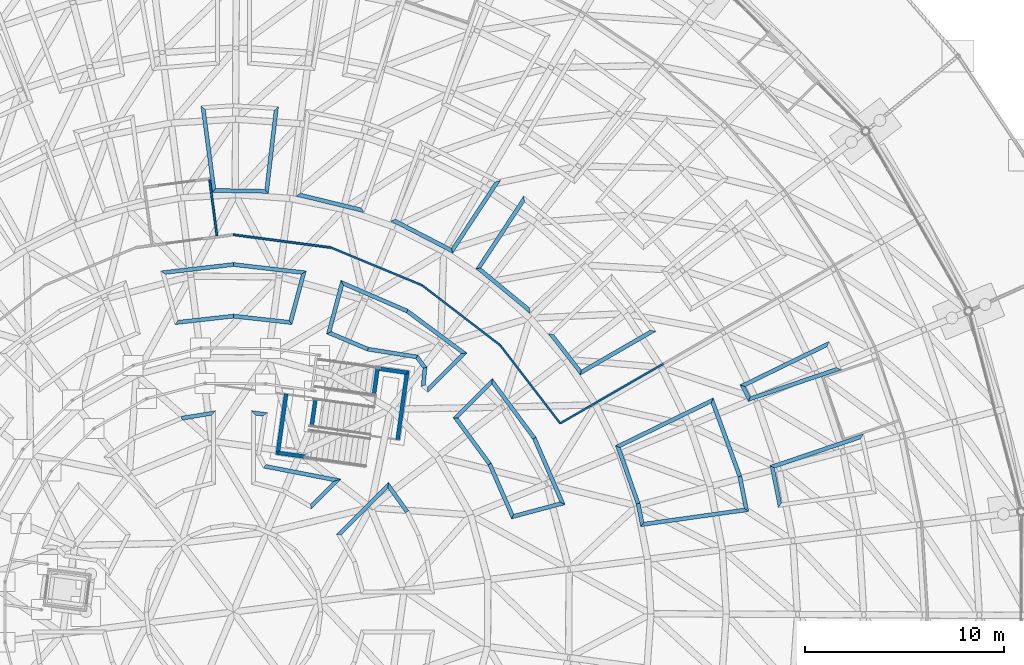
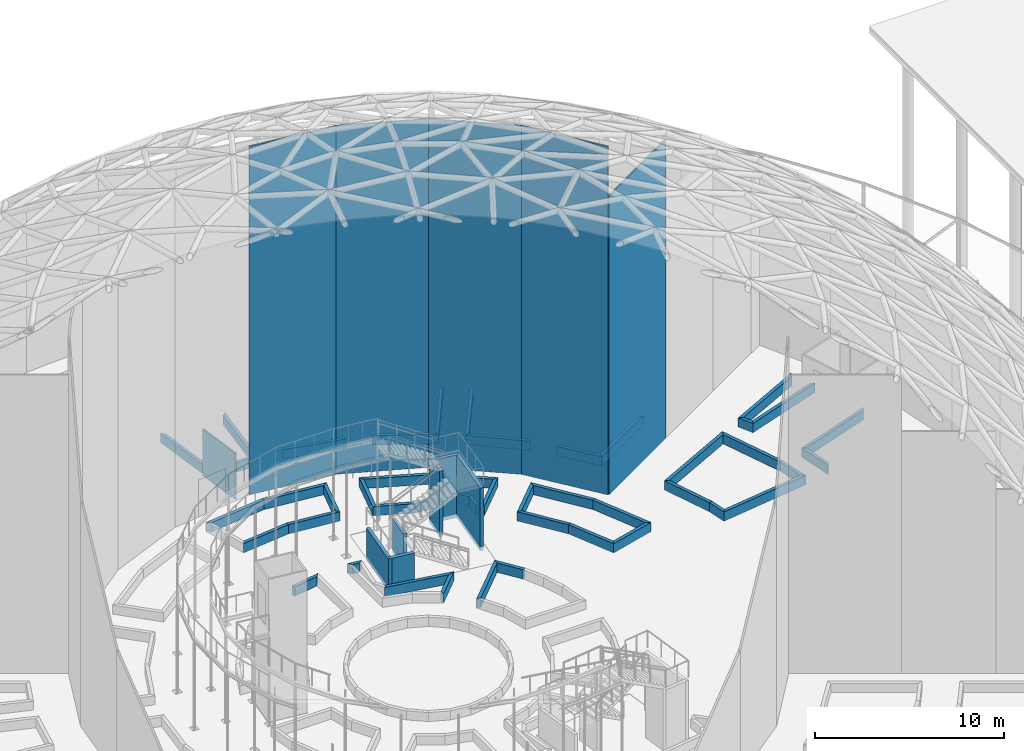
# One storey, part 178 of 226: 58 walls.
"""IFC4 building model written with IfcOpenShell, lengths in metres."""

import ifcopenshell
import ifcopenshell.guid

model = None  # the IFC model being written
_history = None  # IfcOwnerHistory: only IFC2X3 demands one
_inside = {}  # id of a spatial element -> (the spatial element, [elements in it])
_under = {}  # id of a project, library or spatial element -> (it, [spatial elements below it])
_declared = {}  # id of a project -> (the project, [libraries it declares])
_typed = {}  # id of a type object -> (the type object, [elements of that type])
_made_of = {}  # id of a material, layer set ... -> (it, [elements and type objects made of it])


def new_model(schema):
    """Start an empty IFC model of exactly this schema.

    Asked for "IFC4X3", IfcOpenShell would pick the latest addendum, in which some entities
    have other attributes; the version numbers below select the first issue.
    IFC2X3 requires an IfcOwnerHistory on every rooted entity: one is made here for all.
    """
    global model, _history
    if schema == "IFC4X3":
        model = ifcopenshell.file(schema_version=(4, 3, 0, 0))
    else:
        model = ifcopenshell.file(schema=schema)
    _inside.clear()
    _under.clear()
    _declared.clear()
    _typed.clear()
    _made_of.clear()
    _history = None
    if model.schema == "IFC2X3":
        org = make("IfcOrganization", Name="unknown")
        user = make(
            "IfcPersonAndOrganization",
            ThePerson=make("IfcPerson", FamilyName="unknown"),
            TheOrganization=org,
        )
        app = make(
            "IfcApplication",
            ApplicationDeveloper=org,
            Version="unknown",
            ApplicationFullName="unknown",
            ApplicationIdentifier="unknown",
        )
        _history = make(
            "IfcOwnerHistory",
            OwningUser=user,
            OwningApplication=app,
            ChangeAction="ADDED",
            CreationDate=0,
        )
    return model


def make(cls, **values):
    """One entity of the class cls with the attributes given. An attribute that is None is left unset."""
    return model.create_entity(
        cls, **{name: value for name, value in values.items() if value is not None}
    )


def rooted(cls, **values):
    """An entity with a GlobalId (a new one), such as an element, a storey or a relation."""
    return make(cls, GlobalId=ifcopenshell.guid.new(), OwnerHistory=_history, **values)


def si_unit(unit_type, name, prefix=None):
    """IfcSIUnit, for example si_unit("LENGTHUNIT", "METRE", prefix="MILLI")."""
    return make("IfcSIUnit", UnitType=unit_type, Prefix=prefix, Name=name)


def assignment(units):
    """IfcUnitAssignment: the units of a project."""
    return None if units is None else make("IfcUnitAssignment", Units=units)


def point(xyz):
    """IfcCartesianPoint."""
    return None if xyz is None else make("IfcCartesianPoint", Coordinates=xyz)


def direction(xyz):
    """IfcDirection."""
    return None if xyz is None else make("IfcDirection", DirectionRatios=xyz)


def frame(location, z_axis=None, x_axis=None):
    """IfcAxis2Placement3D, a coordinate frame: its origin and axes. An axis left out is left unset."""
    return make(
        "IfcAxis2Placement3D",
        Location=point(location),
        Axis=direction(z_axis),
        RefDirection=direction(x_axis),
    )


def frame_2d(location, x_axis=None):
    """IfcAxis2Placement2D, a coordinate frame in the plane: its origin and x axis."""
    return make(
        "IfcAxis2Placement2D", Location=point(location), RefDirection=direction(x_axis)
    )


def origin():
    """The frame at (0, 0, 0) with its axes left unset."""
    return frame((0.0, 0.0, 0.0))


def place(relative_to, where):
    """IfcLocalPlacement: puts the frame where relative to a parent placement (None: the world)."""
    return make(
        "IfcLocalPlacement", PlacementRelTo=relative_to, RelativePlacement=where
    )


def context(
    kind, dimensions, precision=None, world=None, true_north=None, identifier=None
):
    """IfcGeometricRepresentationContext, for example the 3D "Model" context."""
    return make(
        "IfcGeometricRepresentationContext",
        ContextIdentifier=identifier,
        ContextType=kind,
        CoordinateSpaceDimension=dimensions,
        Precision=precision,
        WorldCoordinateSystem=world,
        TrueNorth=true_north,
    )


def subcontext(parent, identifier, kind, view, scale=None):
    """IfcGeometricRepresentationSubContext, for example "Body" below "Model"."""
    return make(
        "IfcGeometricRepresentationSubContext",
        ContextIdentifier=identifier,
        ContextType=kind,
        ParentContext=parent,
        TargetScale=scale,
        TargetView=view,
    )


def project(units=None, contexts=None):
    """IfcProject with its units and contexts."""
    return rooted(
        "IfcProject",
        Name="project",
        RepresentationContexts=contexts,
        UnitsInContext=assignment(units),
    )


def spatial(cls, under=None, at=None, **own):
    """A site, building, storey or space (cls), placed at a placement, below another one or the project."""
    s = rooted(cls, ObjectPlacement=at, **own)
    if under is not None:
        _under.setdefault(under.id(), (under, []))[1].append(s)
    return s


def polyline(points):
    """IfcPolyline through the points."""
    return make("IfcPolyline", Points=[point(p) for p in points])


def profile(cls, at=None, kind="AREA", **sizes):
    """A parametric profile (cls). Its sizes go by their IFC names, for example OverallWidth=200.0."""
    return make(cls, ProfileType=kind, Position=at, **sizes)


def rectangle(**sizes):
    """IfcRectangleProfileDef."""
    return profile("IfcRectangleProfileDef", **sizes)


def outline(outer, holes=None, kind="AREA"):
    """IfcArbitraryClosedProfileDef: a profile drawn as a closed curve; with holes, ...WithVoids."""
    if holes is None:
        return make("IfcArbitraryClosedProfileDef", ProfileType=kind, OuterCurve=outer)
    return make(
        "IfcArbitraryProfileDefWithVoids",
        ProfileType=kind,
        OuterCurve=outer,
        InnerCurves=holes,
    )


def extrude(swept, where, along, depth):
    """IfcExtrudedAreaSolid: the profile swept, set in the frame where, extruded along a direction by depth."""
    return make(
        "IfcExtrudedAreaSolid",
        SweptArea=swept,
        Position=where,
        ExtrudedDirection=direction(along),
        Depth=depth,
    )


def shape(context_of_items, identifier, shape_type, items):
    """IfcShapeRepresentation: the items that make up one representation, for example the "Body"."""
    return make(
        "IfcShapeRepresentation",
        ContextOfItems=context_of_items,
        RepresentationIdentifier=identifier,
        RepresentationType=shape_type,
        Items=items,
    )


def material(Name=None, Category=None):
    """IfcMaterial."""
    return make("IfcMaterial", Name=Name, Category=Category)


def layer(
    of_material, thickness, ventilated=None, Name=None, Category=None, Priority=None
):
    """IfcMaterialLayer: one layer of a wall or slab, of a material (None: an air gap)."""
    return make(
        "IfcMaterialLayer",
        Material=of_material,
        LayerThickness=thickness,
        IsVentilated=ventilated,
        Name=Name,
        Category=Category,
        Priority=Priority,
    )


def layer_set(layers, Name=None):
    """IfcMaterialLayerSet."""
    return make("IfcMaterialLayerSet", MaterialLayers=layers, LayerSetName=Name)


def made_of(thing, what):
    """Note that an element or type object is made of a material, layer set ...; save() writes the relation."""
    if what is not None:
        _made_of.setdefault(what.id(), (what, []))[1].append(thing)
    return thing


def type_object(cls, material=None, **own):
    """A type object (cls), such as IfcWallType, which elements share."""
    return made_of(rooted(cls, **own), material)


def element(
    cls,
    number,
    at=None,
    inside=None,
    cuts=None,
    type_object=None,
    material=None,
    context=None,
    identifier="Body",
    shape_type=None,
    held_by="IfcProductDefinitionShape",
    body=None,
    shapes=None,
    **own,
):
    """One element of the class cls, such as IfcWall. Its Tag is "e" and its number.

    at: its placement. inside: the storey or other place that contains it. cuts: it is an
    opening in that element (IfcRelVoidsElement). A single representation is given by context,
    identifier, shape_type and body (its items); several are given by shapes. held_by: the class
    of the entity that holds the representations. save() writes the other relations.
    """
    e = rooted(cls, Tag="e%d" % number, ObjectPlacement=at, **own)
    if body is not None:
        shapes = [shape(context, identifier, shape_type, body)]
    if shapes is not None:
        e.Representation = make(held_by, Representations=shapes)
    if inside is not None:
        _inside.setdefault(inside.id(), (inside, []))[1].append(e)
    if cuts is not None:
        rooted(
            "IfcRelVoidsElement", RelatingBuildingElement=cuts, RelatedOpeningElement=e
        )
    if type_object is not None:
        _typed.setdefault(type_object.id(), (type_object, []))[1].append(e)
    return made_of(e, material)


def aggregate(whole, parts):
    """IfcRelAggregates: a whole, such as a stair, and the parts it consists of."""
    return rooted("IfcRelAggregates", RelatingObject=whole, RelatedObjects=parts)


def save(model, path):
    """Write the relations noted so far, then the file.

    IfcRelAggregates (storeys below a building ...), IfcRelContainedInSpatialStructure (elements
    in a storey), IfcRelDefinesByType, IfcRelAssociatesMaterial and IfcRelDeclares: one each for
    every whole, place, type object, material and project.
    """
    for whole, parts in _under.values():
        aggregate(whole, parts)
    for where, things in _inside.values():
        rooted(
            "IfcRelContainedInSpatialStructure",
            RelatedElements=things,
            RelatingStructure=where,
        )
    for kind, things in _typed.values():
        rooted("IfcRelDefinesByType", RelatedObjects=things, RelatingType=kind)
    for what, things in _made_of.values():
        rooted("IfcRelAssociatesMaterial", RelatedObjects=things, RelatingMaterial=what)
    for by, libraries in _declared.values():
        rooted("IfcRelDeclares", RelatingContext=by, RelatedDefinitions=libraries)
    model.write(path)


model = new_model("IFC4")

# Units and contexts
model_context = context("Model", 3, precision=1e-05, world=origin(), true_north=direction((0.0, 1.0)))
body_context = subcontext(model_context, "Body", "Model", "MODEL_VIEW")
ifc_project = project(units=[si_unit("LENGTHUNIT", "METRE"), si_unit("AREAUNIT", "SQUARE_METRE"), si_unit("VOLUMEUNIT", "CUBIC_METRE"), si_unit("PLANEANGLEUNIT", "RADIAN"), si_unit("MASSUNIT", "GRAM", prefix="KILO")], contexts=[model_context])

# Site, building, storey
site_placement = place(None, origin())
site = spatial("IfcSite", under=ifc_project, at=site_placement, CompositionType="ELEMENT")
building_placement = place(site_placement, origin())
building = spatial("IfcBuilding", under=site, at=building_placement, Name="Ceibo Conservatory and Research Tower", CompositionType="ELEMENT")
storey_placement = place(building_placement, origin())
storey = spatial("IfcBuildingStorey", under=building, at=storey_placement, Name="L00", CompositionType="ELEMENT", Elevation=0.0)

# Walls
ifc_material_1 = material(Name="Aluminium and glass", Category="aluminium")
ifc_layer_1 = layer(ifc_material_1, 0.10009765625)
ifc_layer_set_1 = layer_set([ifc_layer_1], Name="Aluminium and glass")
wall_type_1 = type_object("IfcWallType", Name="Airlock screen wall 100", PredefinedType="PARTITIONING", material=ifc_layer_set_1)
wall_1_placement = place(storey_placement, frame((172.45458984375, 117.5, 0.0), z_axis=(0.0, 0.0, 1.0), x_axis=(-0.608768356425, 0.793348024649, 0.0)))
element("IfcWall", 1, at=wall_1_placement, inside=storey, type_object=wall_type_1, Name="Glazed partition I", PredefinedType="PARTITIONING", context=body_context, shape_type="SweptSolid", body=[
    extrude(outline(polyline([(0.0, -0.050048828125), (4.966552734375, -0.050048828125), (4.953369140625, 0.050048828125), (0.0, 0.050048828125), (0.0, -0.050048828125)])), origin(), (0.0, 0.0, 1.0), 22.484130859375),
])
for number, where, z_axis, x_axis, name in (
    (2, (169.43505859375, 121.43505859375, 0.0), (0.0, 0.0, 1.0), (-0.793348024649, 0.608768356425, 0.0), "Glazed partition I"),
    (3, (165.5, 124.45458984375, 0.0), (0.0, 0.0, 1.0), (-0.923893254961, 0.382650301762, 0.0), "Glazed partition I"),
    (4, (160.91748046875, 126.3525390625, 0.0), (0.0, 0.0, 1.0), (-0.991443234469, 0.130538549191, 0.0), "Glazed partition I"),
):
    element("IfcWall", number, at=place(storey_placement, frame(where, z_axis=z_axis, x_axis=x_axis)), inside=storey, type_object=wall_type_1, Name=name, PredefinedType="PARTITIONING", context=body_context, shape_type="SweptSolid", body=[
        extrude(outline(polyline([(-0.006591796875, -0.050048828125), (4.966552734375, -0.050048828125), (4.953369140625, 0.050048828125), (0.006591796875, 0.050048828125), (-0.006591796875, -0.050048828125)])), origin(), (0.0, 0.0, 1.0), 22.484130859375),
    ])
wall_2_placement = place(storey_placement, frame((172.454833984375, 117.500244140625, 0.0), z_axis=(0.0, 0.0, 1.0), x_axis=(0.866028371585, 0.499994859584, 0.0)))
element("IfcWall", 5, at=wall_2_placement, inside=storey, type_object=wall_type_1, Name="Glazed partition R", PredefinedType="PARTITIONING", context=body_context, shape_type="SweptSolid", body=[
    extrude(rectangle(XDim=5.99951171875, YDim=0.10009765625, at=frame_2d((2.999755859375, 0.0))), origin(), (0.0, 0.0, 1.0), 19.278076171875),
])
wall_3_placement = place(storey_placement, frame((155.170654296875, 126.941162109375, 0.0), z_axis=(0.0, 0.0, 1.0), x_axis=(-0.130547578832, 0.991442045538, 0.0)))
element("IfcWall", 6, at=wall_3_placement, inside=storey, type_object=wall_type_1, Name="Glazed partition A", PredefinedType="PARTITIONING", context=body_context, shape_type="SweptSolid", body=[
    extrude(rectangle(XDim=2.85009765625, YDim=0.10009765625, at=frame_2d((1.425048828125, 0.0))), origin(), (0.0, 0.0, 1.0), 3.0),
])
ifc_material_2 = material(Name="Masonry blockwork", Category="masonry")
ifc_layer_2 = layer(ifc_material_2, 0.199951171875)
ifc_layer_set_2 = layer_set([ifc_layer_2], Name="Masonry blockwork")
wall_type_2 = type_object("IfcWallType", Name="Dome planter wall 200", PredefinedType="SOLIDWALL", material=ifc_layer_set_2)
wall_4_placement = place(storey_placement, frame((163.79443359375, 114.38037109375, 0.0), z_axis=(0.0, 0.0, 1.0), x_axis=(-0.707106781187, -0.707106781187, 0.0)))
element("IfcWall", 7, at=wall_4_placement, inside=storey, type_object=wall_type_2, Name="Planter wall A-PB002", PredefinedType="SOLIDWALL", context=body_context, shape_type="SweptSolid", body=[
    extrude(outline(polyline([(-0.117919921875, -0.10009765625), (3.589111328125, -0.10009765625), (3.435791015625, 0.10009765625), (0.117919921875, 0.10009765625), (-0.117919921875, -0.10009765625)])), origin(), (0.0, 0.0, 1.0), 0.60009765625),
])
wall_5_placement = place(storey_placement, frame((164.747314453125, 113.04833984375, 0.0), z_axis=(0.0, 0.0, 1.0), x_axis=(-0.581816192891, 0.813320304487, 0.0)))
element("IfcWall", 8, at=wall_5_placement, inside=storey, type_object=wall_type_2, Name="Planter wall A-PB002", PredefinedType="SOLIDWALL", context=body_context, shape_type="SweptSolid", body=[
    extrude(outline(polyline([(-0.008056640625, -0.10009765625), (1.755615234375, -0.10009765625), (1.519775390625, 0.10009765625), (0.008056640625, 0.10009765625), (-0.008056640625, -0.10009765625)])), origin(), (0.0, 0.0, 1.0), 0.60009765625),
])
wall_6_placement = place(storey_placement, frame((159.896728515625, 113.310791015625, 0.0), z_axis=(0.0, 0.0, 1.0), x_axis=(0.70704151682, 0.70717203953, 0.0)))
element("IfcWall", 9, at=wall_6_placement, inside=storey, type_object=wall_type_2, Name="Planter wall A-PB003", PredefinedType="SOLIDWALL", context=body_context, shape_type="SweptSolid", body=[
    extrude(outline(polyline([(-0.07666015625, -0.10009765625), (2.058837890625, -0.10009765625), (1.682373046875, 0.10009765625), (0.07666015625, 0.10009765625), (-0.07666015625, -0.10009765625)])), origin(), (0.0, 0.0, 1.0), 0.60009765625),
])
wall_7_placement = place(storey_placement, frame((161.21923828125, 114.633544921875, 0.0), z_axis=(0.0, 0.0, 1.0), x_axis=(-0.981752950961, 0.190160835291, 0.0)))
element("IfcWall", 10, at=wall_7_placement, inside=storey, type_object=wall_type_2, Name="Planter wall A-PB003", PredefinedType="SOLIDWALL", context=body_context, shape_type="SweptSolid", body=[
    extrude(outline(polyline([(-0.188232421875, -0.10009765625), (3.66845703125, -0.10009765625), (3.7626953125, 0.10009765625), (0.188232421875, 0.10009765625), (-0.188232421875, -0.10009765625)])), origin(), (0.0, 0.0, 1.0), 0.60009765625),
])
wall_8_placement = place(storey_placement, frame((157.59814453125, 117.95068359375, 0.0), z_axis=(0.0, 0.0, 1.0), x_axis=(-0.991886901255, 0.127123464079, 0.0)))
element("IfcWall", 11, at=wall_8_placement, inside=storey, type_object=wall_type_2, Name="Planter wall A-PB003", PredefinedType="SOLIDWALL", context=body_context, shape_type="SweptSolid", body=[
    extrude(outline(polyline([(-0.103515625, -0.10009765625), (0.716552734375, -0.10009765625), (0.489501953125, 0.10009765625), (0.103515625, 0.10009765625), (-0.103515625, -0.10009765625)])), origin(), (0.0, 0.0, 1.0), 0.60009765625),
])
wall_9_placement = place(storey_placement, frame((155.0, 118.02294921875, 0.0), z_axis=(0.0, 0.0, 1.0), x_axis=(-0.986530851603, -0.163575300198, 0.0)))
element("IfcWall", 12, at=wall_9_placement, inside=storey, type_object=wall_type_2, Name="Planter wall A-PB004", PredefinedType="SOLIDWALL", context=body_context, shape_type="SweptSolid", body=[
    extrude(outline(polyline([(-0.117919921875, -0.10009765625), (1.645751953125, -0.10009765625), (1.622802734375, 0.10009765625), (0.117919921875, 0.10009765625), (-0.117919921875, -0.10009765625)])), origin(), (0.0, 0.0, 1.0), 0.60009765625),
])
wall_10_placement = place(storey_placement, frame((172.572509765625, 113.475830078125, 0.0), z_axis=(0.0, 0.0, 1.0), x_axis=(-0.397376975647, 0.917655457797, 0.0)))
element("IfcWall", 13, at=wall_10_placement, inside=storey, type_object=wall_type_2, Name="Planter wall A-PB010", PredefinedType="SOLIDWALL", context=body_context, shape_type="SweptSolid", body=[
    extrude(outline(polyline([(-0.115966796875, -0.10009765625), (3.5791015625, -0.10009765625), (3.55615234375, 0.10009765625), (0.115966796875, 0.10009765625), (-0.115966796875, -0.10009765625)])), origin(), (0.0, 0.0, 1.0), 0.60009765625),
])
wall_11_placement = place(storey_placement, frame((171.15478515625, 116.749755859375, 0.0), z_axis=(0.0, 0.0, 1.0), x_axis=(-0.596017773517, 0.802971240862, 0.0)))
element("IfcWall", 14, at=wall_11_placement, inside=storey, type_object=wall_type_2, Name="Planter wall A-PB010", PredefinedType="SOLIDWALL", context=body_context, shape_type="SweptSolid", body=[
    extrude(outline(polyline([(-0.011474609375, -0.10009765625), (3.683349609375, -0.10009765625), (3.451416015625, 0.10009765625), (0.011474609375, 0.10009765625), (-0.011474609375, -0.10009765625)])), origin(), (0.0, 0.0, 1.0), 0.60009765625),
])
wall_12_placement = place(storey_placement, frame((169.028564453125, 119.6142578125, 0.0), z_axis=(0.0, 0.0, 1.0), x_axis=(-0.707106781187, -0.707106781187, 0.0)))
element("IfcWall", 15, at=wall_12_placement, inside=storey, type_object=wall_type_2, Name="Planter wall A-PB010", PredefinedType="SOLIDWALL", context=body_context, shape_type="SweptSolid", body=[
    extrude(outline(polyline([(-0.115966796875, -0.10009765625), (2.68408203125, -0.10009765625), (2.51220703125, 0.10009765625), (0.115966796875, 0.10009765625), (-0.115966796875, -0.10009765625)])), origin(), (0.0, 0.0, 1.0), 0.60009765625),
])
wall_13_placement = place(storey_placement, frame((167.19140625, 117.777099609375, 0.0), z_axis=(0.0, 0.0, 1.0), x_axis=(0.592824278574, -0.805331841375, 0.0)))
element("IfcWall", 16, at=wall_13_placement, inside=storey, type_object=wall_type_2, Name="Planter wall A-PB010", PredefinedType="SOLIDWALL", context=body_context, shape_type="SweptSolid", body=[
    extrude(outline(polyline([(-0.0859375, -0.10009765625), (2.878173828125, -0.10009765625), (2.900634765625, 0.10009765625), (0.0859375, 0.10009765625), (-0.0859375, -0.10009765625)])), origin(), (0.0, 0.0, 1.0), 0.60009765625),
])
wall_14_placement = place(storey_placement, frame((168.904296875, 115.4501953125, 0.0), z_axis=(0.0, 0.0, 1.0), x_axis=(0.401036028786, -0.916062281515, 0.0)))
element("IfcWall", 17, at=wall_14_placement, inside=storey, type_object=wall_type_2, Name="Planter wall A-PB010", PredefinedType="SOLIDWALL", context=body_context, shape_type="SweptSolid", body=[
    extrude(outline(polyline([(0.01123046875, -0.10009765625), (2.97509765625, -0.10009765625), (2.80322265625, 0.10009765625), (-0.01123046875, 0.10009765625), (0.01123046875, -0.10009765625)])), origin(), (0.0, 0.0, 1.0), 0.60009765625),
])
wall_15_placement = place(storey_placement, frame((170.06298828125, 112.803466796875, 0.0), z_axis=(0.0, 0.0, 1.0), x_axis=(0.965931693355, 0.258797147923, 0.0)))
element("IfcWall", 18, at=wall_15_placement, inside=storey, type_object=wall_type_2, Name="Planter wall A-PB010", PredefinedType="SOLIDWALL", context=body_context, shape_type="SweptSolid", body=[
    extrude(outline(polyline([(-0.0859375, -0.10009765625), (2.714111328125, -0.10009765625), (2.482177734375, 0.10009765625), (0.0859375, 0.10009765625), (-0.0859375, -0.10009765625)])), origin(), (0.0, 0.0, 1.0), 0.60009765625),
])
wall_16_placement = place(storey_placement, frame((167.6142578125, 121.028564453125, 0.0), z_axis=(0.0, 0.0, 1.0), x_axis=(-0.802971240862, 0.596017773517, 0.0)))
element("IfcWall", 19, at=wall_16_placement, inside=storey, type_object=wall_type_2, Name="Planter wall A-PB011", PredefinedType="SOLIDWALL", context=body_context, shape_type="SweptSolid", body=[
    extrude(outline(polyline([(-0.115966796875, -0.10009765625), (3.578857421875, -0.10009765625), (3.555908203125, 0.10009765625), (0.115966796875, 0.10009765625), (-0.115966796875, -0.10009765625)])), origin(), (0.0, 0.0, 1.0), 0.60009765625),
])
wall_17_placement = place(storey_placement, frame((164.749755859375, 123.15478515625, 0.0), z_axis=(0.0, 0.0, 1.0), x_axis=(-0.917655457797, 0.397376975647, 0.0)))
element("IfcWall", 20, at=wall_17_placement, inside=storey, type_object=wall_type_2, Name="Planter wall A-PB011", PredefinedType="SOLIDWALL", context=body_context, shape_type="SweptSolid", body=[
    extrude(outline(polyline([(-0.011474609375, -0.10009765625), (3.68359375, -0.10009765625), (3.45166015625, 0.10009765625), (0.011474609375, 0.10009765625), (-0.011474609375, -0.10009765625)])), origin(), (0.0, 0.0, 1.0), 0.60009765625),
])
wall_18_placement = place(storey_placement, frame((161.475830078125, 124.572509765625, 0.0), z_axis=(0.0, 0.0, 1.0), x_axis=(-0.258826939486, -0.965923710961, 0.0)))
element("IfcWall", 21, at=wall_18_placement, inside=storey, type_object=wall_type_2, Name="Planter wall A-PB011", PredefinedType="SOLIDWALL", context=body_context, shape_type="SweptSolid", body=[
    extrude(outline(polyline([(-0.115966796875, -0.10009765625), (2.683837890625, -0.10009765625), (2.509521484375, 0.10009765625), (0.115966796875, 0.10009765625), (-0.115966796875, -0.10009765625)])), origin(), (0.0, 0.0, 1.0), 0.60009765625),
])
wall_19_placement = place(storey_placement, frame((160.8037109375, 122.064208984375, 0.0), z_axis=(0.0, 0.0, 1.0), x_axis=(0.921914445418, -0.38739354064, 0.0)))
element("IfcWall", 22, at=wall_19_placement, inside=storey, type_object=wall_type_2, Name="Planter wall A-PB011", PredefinedType="SOLIDWALL", context=body_context, shape_type="SweptSolid", body=[
    extrude(outline(polyline([(-0.087158203125, -0.10009765625), (2.151123046875, -0.10009765625), (2.126708984375, 0.10009765625), (0.087158203125, 0.10009765625), (-0.087158203125, -0.10009765625)])), origin(), (0.0, 0.0, 1.0), 0.60009765625),
])
wall_20_placement = place(storey_placement, frame((162.775634765625, 121.235595703125, 0.0), z_axis=(0.0, 0.0, 1.0), x_axis=(0.987706587317, -0.156319216256, 0.0)))
element("IfcWall", 23, at=wall_20_placement, inside=storey, type_object=wall_type_2, Name="Planter wall A-PB011", PredefinedType="SOLIDWALL", context=body_context, shape_type="SweptSolid", body=[
    extrude(outline(polyline([(-0.01220703125, -0.10009765625), (2.455078125, -0.10009765625), (2.53662109375, 0.10009765625), (0.01220703125, 0.10009765625), (-0.01220703125, -0.10009765625)])), origin(), (0.0, 0.0, 1.0), 0.60009765625),
])
wall_21_placement = place(storey_placement, frame((165.24072265625, 120.845458984375, 0.0), z_axis=(0.0, 0.0, 1.0), x_axis=(0.5961316626, -0.802886692408, 0.0)))
element("IfcWall", 24, at=wall_21_placement, inside=storey, type_object=wall_type_2, Name="Planter wall A-PB011", PredefinedType="SOLIDWALL", context=body_context, shape_type="SweptSolid", body=[
    extrude(outline(polyline([(0.040771484375, -0.10009765625), (0.63916015625, -0.10009765625), (0.71630859375, 0.10009765625), (-0.040771484375, 0.10009765625), (0.040771484375, -0.10009765625)])), origin(), (0.0, 0.0, 1.0), 0.60009765625),
])
wall_22_placement = place(storey_placement, frame((165.644775390625, 120.30126953125, 0.0), z_axis=(0.0, 0.0, 1.0), x_axis=(-0.096795487446, -0.995304291968, 0.0)))
element("IfcWall", 25, at=wall_22_placement, inside=storey, type_object=wall_type_2, Name="Planter wall A-PB011", PredefinedType="SOLIDWALL", context=body_context, shape_type="SweptSolid", body=[
    extrude(outline(polyline([(0.03857421875, -0.10009765625), (0.9619140625, -0.10009765625), (0.859375, 0.10009765625), (-0.03857421875, 0.10009765625), (0.03857421875, -0.10009765625)])), origin(), (0.0, 0.0, 1.0), 0.60009765625),
])
wall_23_placement = place(storey_placement, frame((165.782470703125, 119.19677734375, 0.0), z_axis=(0.0, 0.0, 1.0), x_axis=(0.707106781187, 0.707106781187, 0.0)))
element("IfcWall", 26, at=wall_23_placement, inside=storey, type_object=wall_type_2, Name="Planter wall A-PB011", PredefinedType="SOLIDWALL", context=body_context, shape_type="SweptSolid", body=[
    extrude(outline(polyline([(-0.09375, -0.10009765625), (2.70654296875, -0.10009765625), (2.474609375, 0.10009765625), (0.09375, 0.10009765625), (-0.09375, -0.10009765625)])), origin(), (0.0, 0.0, 1.0), 0.60009765625),
])
wall_24_placement = place(storey_placement, frame((159.5439453125, 125.090087890625, 0.0), z_axis=(0.0, 0.0, 1.0), x_axis=(-0.993400541196, 0.114696838457, 0.0)))
element("IfcWall", 27, at=wall_24_placement, inside=storey, type_object=wall_type_2, Name="Planter wall A-PB012", PredefinedType="SOLIDWALL", context=body_context, shape_type="SweptSolid", body=[
    extrude(outline(polyline([(-0.115966796875, -0.10009765625), (3.578857421875, -0.10009765625), (3.555908203125, 0.10009765625), (0.115966796875, 0.10009765625), (-0.115966796875, -0.10009765625)])), origin(), (0.0, 0.0, 1.0), 0.60009765625),
])
wall_25_placement = place(storey_placement, frame((156.0, 125.499267578125, 0.0), z_axis=(0.0, 0.0, 1.0), x_axis=(-0.993400541196, -0.114696838457, 0.0)))
element("IfcWall", 28, at=wall_25_placement, inside=storey, type_object=wall_type_2, Name="Planter wall A-PB012", PredefinedType="SOLIDWALL", context=body_context, shape_type="SweptSolid", body=[
    extrude(outline(polyline([(-0.011474609375, -0.10009765625), (3.683349609375, -0.10009765625), (3.451416015625, 0.10009765625), (0.011474609375, 0.10009765625), (-0.011474609375, -0.10009765625)])), origin(), (0.0, 0.0, 1.0), 0.60009765625),
])
wall_26_placement = place(storey_placement, frame((153.12841796875, 122.58056640625, 0.0), z_axis=(0.0, 0.0, 1.0), x_axis=(0.993845549058, 0.11077465693, 0.0)))
element("IfcWall", 29, at=wall_26_placement, inside=storey, type_object=wall_type_2, Name="Planter wall A-PB012", PredefinedType="SOLIDWALL", context=body_context, shape_type="SweptSolid", body=[
    extrude(outline(polyline([(-0.0859375, -0.10009765625), (2.878173828125, -0.10009765625), (2.900634765625, 0.10009765625), (0.0859375, 0.10009765625), (-0.0859375, -0.10009765625)])), origin(), (0.0, 0.0, 1.0), 0.60009765625),
])
wall_27_placement = place(storey_placement, frame((156.0, 122.900634765625, 0.0), z_axis=(0.0, 0.0, 1.0), x_axis=(0.993845549058, -0.11077465693, 0.0)))
element("IfcWall", 30, at=wall_27_placement, inside=storey, type_object=wall_type_2, Name="Planter wall A-PB012", PredefinedType="SOLIDWALL", context=body_context, shape_type="SweptSolid", body=[
    extrude(outline(polyline([(0.01123046875, -0.10009765625), (2.975341796875, -0.10009765625), (2.803466796875, 0.10009765625), (-0.01123046875, 0.10009765625), (0.01123046875, -0.10009765625)])), origin(), (0.0, 0.0, 1.0), 0.60009765625),
])
wall_28_placement = place(storey_placement, frame((158.87158203125, 122.58056640625, 0.0), z_axis=(0.0, 0.0, 1.0), x_axis=(0.258797147923, 0.965931693355, 0.0)))
element("IfcWall", 31, at=wall_28_placement, inside=storey, type_object=wall_type_2, Name="Planter wall A-PB012", PredefinedType="SOLIDWALL", context=body_context, shape_type="SweptSolid", body=[
    extrude(outline(polyline([(-0.0859375, -0.10009765625), (2.714111328125, -0.10009765625), (2.482177734375, 0.10009765625), (0.0859375, 0.10009765625), (-0.0859375, -0.10009765625)])), origin(), (0.0, 0.0, 1.0), 0.60009765625),
])
wall_29_placement = place(storey_placement, frame((176.590576171875, 112.408447265625, 0.0), z_axis=(0.0, 0.0, 1.0), x_axis=(0.990264125308, 0.139201157067, 0.0)))
element("IfcWall", 32, at=wall_29_placement, inside=storey, type_object=wall_type_2, Name="Planter wall A-PB023", PredefinedType="SOLIDWALL", context=body_context, shape_type="SweptSolid", body=[
    extrude(outline(polyline([(-0.094482421875, -0.10009765625), (5.40234375, -0.10009765625), (5.19091796875, 0.10009765625), (0.094482421875, 0.10009765625), (-0.094482421875, -0.10009765625)])), origin(), (0.0, 0.0, 1.0), 0.60009765625),
])
wall_30_placement = place(storey_placement, frame((181.835693359375, 113.145751953125, 0.0), z_axis=(0.0, 0.0, 1.0), x_axis=(-0.1950233842, 0.980798592788, 0.0)))
element("IfcWall", 33, at=wall_30_placement, inside=storey, type_object=wall_type_2, Name="Planter wall A-PB023", PredefinedType="SOLIDWALL", context=body_context, shape_type="SweptSolid", body=[
    extrude(outline(polyline([(-0.105712890625, -0.10009765625), (1.726318359375, -0.10009765625), (1.711181640625, 0.10009765625), (0.105712890625, 0.10009765625), (-0.105712890625, -0.10009765625)])), origin(), (0.0, 0.0, 1.0), 0.60009765625),
])
wall_31_placement = place(storey_placement, frame((181.50048828125, 114.83154296875, 0.0), z_axis=(0.0, 0.0, 1.0), x_axis=(-0.342602250049, 0.939480547037, 0.0)))
element("IfcWall", 34, at=wall_31_placement, inside=storey, type_object=wall_type_2, Name="Planter wall A-PB023", PredefinedType="SOLIDWALL", context=body_context, shape_type="SweptSolid", body=[
    extrude(outline(polyline([(-0.007568359375, -0.10009765625), (4.171630859375, -0.10009765625), (3.949462890625, 0.10009765625), (0.007568359375, 0.10009765625), (-0.007568359375, -0.10009765625)])), origin(), (0.0, 0.0, 1.0), 0.60009765625),
])
wall_32_placement = place(storey_placement, frame((180.109375, 118.646240234375, 0.0), z_axis=(0.0, 0.0, 1.0), x_axis=(-0.898806603577, -0.438345399618, 0.0)))
element("IfcWall", 35, at=wall_32_placement, inside=storey, type_object=wall_type_2, Name="Planter wall A-PB023", PredefinedType="SOLIDWALL", context=body_context, shape_type="SweptSolid", body=[
    extrude(outline(polyline([(-0.111083984375, -0.10009765625), (5.37744140625, -0.10009765625), (5.1982421875, 0.10009765625), (0.111083984375, 0.10009765625), (-0.111083984375, -0.10009765625)])), origin(), (0.0, 0.0, 1.0), 0.60009765625),
])
wall_33_placement = place(storey_placement, frame((175.356689453125, 116.328369140625, 0.0), z_axis=(0.0, 0.0, 1.0), x_axis=(0.336534539762, -0.941671122817, 0.0)))
element("IfcWall", 36, at=wall_33_placement, inside=storey, type_object=wall_type_2, Name="Planter wall A-PB023", PredefinedType="SOLIDWALL", context=body_context, shape_type="SweptSolid", body=[
    extrude(outline(polyline([(-0.089599609375, -0.10009765625), (3.03662109375, -0.10009765625), (3.05126953125, 0.10009765625), (0.089599609375, 0.10009765625), (-0.089599609375, -0.10009765625)])), origin(), (0.0, 0.0, 1.0), 0.60009765625),
])
wall_34_placement = place(storey_placement, frame((176.381103515625, 113.4619140625, 0.0), z_axis=(0.0, 0.0, 1.0), x_axis=(0.195023225869, -0.980798624271, 0.0)))
element("IfcWall", 37, at=wall_34_placement, inside=storey, type_object=wall_type_2, Name="Planter wall A-PB023", PredefinedType="SOLIDWALL", context=body_context, shape_type="SweptSolid", body=[
    extrude(outline(polyline([(0.00732421875, -0.10009765625), (1.16845703125, -0.10009765625), (0.9794921875, 0.10009765625), (-0.00732421875, 0.10009765625), (0.00732421875, -0.10009765625)])), origin(), (0.0, 0.0, 1.0), 0.60009765625),
])
wall_35_placement = place(storey_placement, frame((183.13525390625, 115.310302734375, 0.0), z_axis=(0.0, 0.0, 1.0), x_axis=(0.195112905891, -0.980780787921, 0.0)))
element("IfcWall", 38, at=wall_35_placement, inside=storey, type_object=wall_type_2, Name="Planter wall A-PB024", PredefinedType="SOLIDWALL", context=body_context, shape_type="SweptSolid", body=[
    extrude(outline(polyline([(-0.087646484375, -0.10009765625), (2.060302734375, -0.10009765625), (1.871337890625, 0.10009765625), (0.087646484375, 0.10009765625), (-0.087646484375, -0.10009765625)])), origin(), (0.0, 0.0, 1.0), 0.60009765625),
])
wall_36_placement = place(storey_placement, frame((187.654541015625, 116.844482421875, 0.0), z_axis=(0.0, 0.0, 1.0), x_axis=(-0.946924489493, -0.321456079735, 0.0)))
element("IfcWall", 39, at=wall_36_placement, inside=storey, type_object=wall_type_2, Name="Planter wall A-PB024", PredefinedType="SOLIDWALL", context=body_context, shape_type="SweptSolid", body=[
    extrude(outline(polyline([(-0.11181640625, -0.10009765625), (4.8603515625, -0.10009765625), (4.68505859375, 0.10009765625), (0.11181640625, 0.10009765625), (-0.11181640625, -0.10009765625)])), origin(), (0.0, 0.0, 1.0), 0.60009765625),
])
wall_37_placement = place(storey_placement, frame((181.97802734375, 118.71923828125, 0.0), z_axis=(0.0, 0.0, 1.0), x_axis=(0.946935629969, 0.321423260974, 0.0)))
element("IfcWall", 40, at=wall_37_placement, inside=storey, type_object=wall_type_2, Name="Planter wall A-PB025", PredefinedType="SOLIDWALL", context=body_context, shape_type="SweptSolid", body=[
    extrude(outline(polyline([(-0.087646484375, -0.10009765625), (4.88427734375, -0.10009765625), (4.6650390625, 0.10009765625), (0.087646484375, 0.10009765625), (-0.087646484375, -0.10009765625)])), origin(), (0.0, 0.0, 1.0), 0.60009765625),
])
wall_38_placement = place(storey_placement, frame((185.94580078125, 121.492919921875, 0.0), z_axis=(0.0, 0.0, 1.0), x_axis=(-0.898801785594, -0.438355278528, 0.0)))
element("IfcWall", 41, at=wall_38_placement, inside=storey, type_object=wall_type_2, Name="Planter wall A-PB025", PredefinedType="SOLIDWALL", context=body_context, shape_type="SweptSolid", body=[
    extrude(outline(polyline([(-0.103515625, -0.10009765625), (4.8857421875, -0.10009765625), (4.68505859375, 0.10009765625), (0.103515625, 0.10009765625), (-0.103515625, -0.10009765625)])), origin(), (0.0, 0.0, 1.0), 0.60009765625),
])
wall_39_placement = place(storey_placement, frame((181.644775390625, 119.395263671875, 0.0), z_axis=(0.0, 0.0, 1.0), x_axis=(0.442153277977, -0.896939506753, 0.0)))
element("IfcWall", 42, at=wall_39_placement, inside=storey, type_object=wall_type_2, Name="Planter wall A-PB025", PredefinedType="SOLIDWALL", context=body_context, shape_type="SweptSolid", body=[
    extrude(outline(polyline([(-0.100341796875, -0.10009765625), (0.84130859375, -0.10009765625), (0.666015625, 0.10009765625), (0.100341796875, 0.10009765625), (-0.100341796875, -0.10009765625)])), origin(), (0.0, 0.0, 1.0), 0.60009765625),
])
wall_40_placement = place(storey_placement, frame((173.494384765625, 120.063232421875, 0.0), z_axis=(0.0, 0.0, 1.0), x_axis=(0.866012248823, 0.50002278437, 0.0)))
element("IfcWall", 43, at=wall_40_placement, inside=storey, type_object=wall_type_2, Name="Planter wall A-PB026", PredefinedType="SOLIDWALL", context=body_context, shape_type="SweptSolid", body=[
    extrude(outline(polyline([(-0.087158203125, -0.10009765625), (4.312744140625, -0.10009765625), (4.084228515625, 0.10009765625), (0.087158203125, 0.10009765625), (-0.087158203125, -0.10009765625)])), origin(), (0.0, 0.0, 1.0), 0.60009765625),
])
wall_41_placement = place(storey_placement, frame((171.994140625, 121.98974609375, 0.0), z_axis=(0.0, 0.0, 1.0), x_axis=(0.614411205565, -0.788985976096, 0.0)))
element("IfcWall", 44, at=wall_41_placement, inside=storey, type_object=wall_type_2, Name="Planter wall A-PB026", PredefinedType="SOLIDWALL", context=body_context, shape_type="SweptSolid", body=[
    extrude(outline(polyline([(-0.0908203125, -0.10009765625), (2.52880859375, -0.10009765625), (2.3544921875, 0.10009765625), (0.0908203125, 0.10009765625), (-0.0908203125, -0.10009765625)])), origin(), (0.0, 0.0, 1.0), 0.60009765625),
])
wall_42_placement = place(storey_placement, frame((170.642333984375, 128.806640625, 0.0), z_axis=(0.0, 0.0, 1.0), x_axis=(-0.549539444865, -0.835467772291, 0.0)))
element("IfcWall", 45, at=wall_42_placement, inside=storey, type_object=wall_type_2, Name="Planter wall A-PB027", PredefinedType="SOLIDWALL", context=body_context, shape_type="SweptSolid", body=[
    extrude(outline(polyline([(-0.111083984375, -0.10009765625), (4.27978515625, -0.10009765625), (4.10009765625, 0.10009765625), (0.111083984375, 0.10009765625), (-0.111083984375, -0.10009765625)])), origin(), (0.0, 0.0, 1.0), 0.60009765625),
])
wall_43_placement = place(storey_placement, frame((168.33984375, 125.30615234375, 0.0), z_axis=(0.0, 0.0, 1.0), x_axis=(0.771993413959, -0.635630528533, 0.0)))
element("IfcWall", 46, at=wall_43_placement, inside=storey, type_object=wall_type_2, Name="Planter wall A-PB027", PredefinedType="SOLIDWALL", context=body_context, shape_type="SweptSolid", body=[
    extrude(outline(polyline([(-0.08984375, -0.10009765625), (3.434326171875, -0.10009765625), (3.258056640625, 0.10009765625), (0.08984375, 0.10009765625), (-0.08984375, -0.10009765625)])), origin(), (0.0, 0.0, 1.0), 0.60009765625),
])
wall_44_placement = place(storey_placement, frame((164.0341796875, 127.734619140625, 0.0), z_axis=(0.0, 0.0, 1.0), x_axis=(0.887981654309, -0.459878877109, 0.0)))
element("IfcWall", 47, at=wall_44_placement, inside=storey, type_object=wall_type_2, Name="Planter wall A-PB028", PredefinedType="SOLIDWALL", context=body_context, shape_type="SweptSolid", body=[
    extrude(outline(polyline([(-0.087890625, -0.10009765625), (3.43994140625, -0.10009765625), (3.259765625, 0.10009765625), (0.087890625, 0.10009765625), (-0.087890625, -0.10009765625)])), origin(), (0.0, 0.0, 1.0), 0.60009765625),
])
wall_45_placement = place(storey_placement, frame((167.0087890625, 126.194091796875, 0.0), z_axis=(0.0, 0.0, 1.0), x_axis=(0.549524434319, 0.835477645474, 0.0)))
element("IfcWall", 48, at=wall_45_placement, inside=storey, type_object=wall_type_2, Name="Planter wall A-PB028", PredefinedType="SOLIDWALL", context=body_context, shape_type="SweptSolid", body=[
    extrude(outline(polyline([(-0.090087890625, -0.10009765625), (4.30078125, -0.10009765625), (4.07666015625, 0.10009765625), (0.090087890625, 0.10009765625), (-0.090087890625, -0.10009765625)])), origin(), (0.0, 0.0, 1.0), 0.60009765625),
])
wall_46_placement = place(storey_placement, frame((159.26220703125, 129.018310546875, 0.0), z_axis=(0.0, 0.0, 1.0), x_axis=(0.971593680395, -0.23665527718, 0.0)))
element("IfcWall", 49, at=wall_46_placement, inside=storey, type_object=wall_type_2, Name="Planter wall A-PB029", PredefinedType="SOLIDWALL", context=body_context, shape_type="SweptSolid", body=[
    extrude(outline(polyline([(-0.08837890625, -0.10009765625), (3.43310546875, -0.10009765625), (3.25390625, 0.10009765625), (0.08837890625, 0.10009765625), (-0.08837890625, -0.10009765625)])), origin(), (0.0, 0.0, 1.0), 0.60009765625),
])
wall_47_placement = place(storey_placement, frame((155.020751953125, 129.228759765625, 0.0), z_axis=(0.0, 0.0, 1.0), x_axis=(0.999870072285, -0.016119508305, 0.0)))
element("IfcWall", 50, at=wall_47_placement, inside=storey, type_object=wall_type_2, Name="Planter wall A-PB030", PredefinedType="SOLIDWALL", context=body_context, shape_type="SweptSolid", body=[
    extrude(outline(polyline([(-0.086181640625, -0.10009765625), (2.74072265625, -0.10009765625), (2.56005859375, 0.10009765625), (0.086181640625, 0.10009765625), (-0.086181640625, -0.10009765625)])), origin(), (0.0, 0.0, 1.0), 0.60009765625),
])
wall_48_placement = place(storey_placement, frame((157.6708984375, 129.18603515625, 0.0), z_axis=(0.0, 0.0, 1.0), x_axis=(0.116062267574, 0.993241939331, 0.0)))
element("IfcWall", 51, at=wall_48_placement, inside=storey, type_object=wall_type_2, Name="Planter wall A-PB030", PredefinedType="SOLIDWALL", context=body_context, shape_type="SweptSolid", body=[
    extrude(outline(polyline([(-0.09033203125, -0.10009765625), (4.305908203125, -0.10009765625), (4.095458984375, 0.10009765625), (0.09033203125, 0.10009765625), (-0.09033203125, -0.10009765625)])), origin(), (0.0, 0.0, 1.0), 0.60009765625),
])
wall_49_placement = place(storey_placement, frame((154.4716796875, 133.399658203125, 0.0), z_axis=(0.0, 0.0, 1.0), x_axis=(0.130517563106, -0.99144599738, 0.0)))
element("IfcWall", 52, at=wall_49_placement, inside=storey, type_object=wall_type_2, Name="Planter wall A-PB030", PredefinedType="SOLIDWALL", context=body_context, shape_type="SweptSolid", body=[
    extrude(outline(polyline([(-0.106689453125, -0.10009765625), (4.29296875, -0.10009765625), (4.12060546875, 0.10009765625), (0.106689453125, 0.10009765625), (-0.106689453125, -0.10009765625)])), origin(), (0.0, 0.0, 1.0), 0.60009765625),
])
ifc_material_3 = material(Name="Concrete C35/45", Category="concrete")
ifc_layer_3 = layer(ifc_material_3, 0.199951171875)
ifc_layer_set_3 = layer_set([ifc_layer_3], Name="Concrete C35/45")
wall_type_3 = type_object("IfcWallType", Name="Landing support wall 200", PredefinedType="SOLIDWALL", material=ifc_layer_set_3)
wall_50_placement = place(storey_placement, frame((160.140380859375, 118.778564453125, -0.25), z_axis=(0.0, 0.0, 1.0), x_axis=(-0.139165050317, -0.990269200152, 0.0)))
element("IfcWall", 53, at=wall_50_placement, inside=storey, type_object=wall_type_3, Name="Stair support wall 1.F2", PredefinedType="SOLIDWALL", context=body_context, shape_type="SweptSolid", body=[
    extrude(rectangle(XDim=1.5, YDim=0.199951171875, at=frame_2d((0.75, 0.0))), origin(), (0.0, 0.0, 1.0), 2.25),
])
wall_51_placement = place(storey_placement, frame((159.623779296875, 115.82177734375, -0.25), z_axis=(0.0, 0.0, 1.0), x_axis=(-0.990267849036, 0.139174664236, 0.0)))
element("IfcWall", 54, at=wall_51_placement, inside=storey, type_object=wall_type_3, Name="Stair support wall 1.S1", PredefinedType="SOLIDWALL", context=body_context, shape_type="SweptSolid", body=[
    extrude(rectangle(XDim=1.39990234375, YDim=0.199951171875, at=frame_2d((0.699951171875, 0.0))), origin(), (0.0, 0.0, 1.0), 2.050048828125),
])
wall_52_placement = place(storey_placement, frame((158.655029296875, 118.9873046875, -0.25), z_axis=(0.0, 0.0, 1.0), x_axis=(-0.139160708979, -0.990269810242, 0.0)))
element("IfcWall", 55, at=wall_52_placement, inside=storey, type_object=wall_type_3, Name="Stair support wall 1.P1", PredefinedType="SOLIDWALL", context=body_context, shape_type="SweptSolid", body=[
    extrude(rectangle(XDim=3.10009765625, YDim=0.199951171875, at=frame_2d((1.550048828125, 0.0))), origin(), (0.0, 0.0, 1.0), 2.050048828125),
])
wall_53_placement = place(storey_placement, frame((163.270751953125, 120.3583984375, -0.25), z_axis=(0.0, 0.0, 1.0), x_axis=(-0.139165050317, -0.990269200152, 0.0)))
element("IfcWall", 56, at=wall_53_placement, inside=storey, type_object=wall_type_3, Name="Stair support wall 1.F3", PredefinedType="SOLIDWALL", context=body_context, shape_type="SweptSolid", body=[
    extrude(rectangle(XDim=1.5, YDim=0.199951171875, at=frame_2d((0.75, 0.0))), origin(), (0.0, 0.0, 1.0), 4.25),
])
wall_54_placement = place(storey_placement, frame((164.756103515625, 120.149658203125, -0.25), z_axis=(0.0, 0.0, 1.0), x_axis=(-0.139155437714, -0.990270550988, 0.0)))
element("IfcWall", 57, at=wall_54_placement, inside=storey, type_object=wall_type_3, Name="Stair support wall 1.R2", PredefinedType="SOLIDWALL", context=body_context, shape_type="SweptSolid", body=[
    extrude(rectangle(XDim=3.5, YDim=0.199951171875, at=frame_2d((1.75, 0.0))), origin(), (0.0, 0.0, 1.0), 4.050048828125),
])
wall_55_placement = place(storey_placement, frame((164.7421875, 120.050537109375, -0.25), z_axis=(0.0, 0.0, 1.0), x_axis=(-0.990269200152, 0.139165050317, 0.0)))
element("IfcWall", 58, at=wall_55_placement, inside=storey, type_object=wall_type_3, Name="Stair support wall 1.S2", PredefinedType="SOLIDWALL", context=body_context, shape_type="SweptSolid", body=[
    extrude(rectangle(XDim=1.5, YDim=0.199951171875, at=frame_2d((0.75, 0.0))), origin(), (0.0, 0.0, 1.0), 4.050048828125),
])

save(model, "model.ifc")
